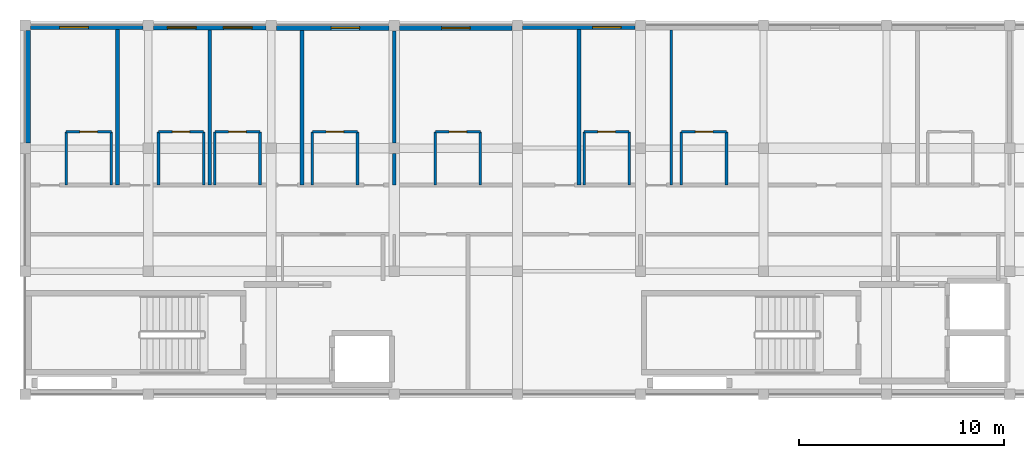
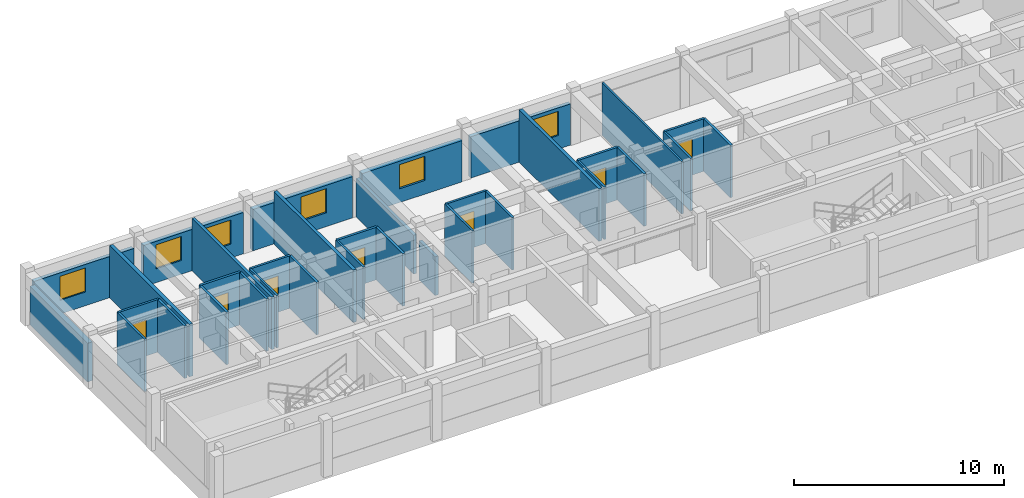
# One storey, part 7 of 14: 34 walls, 7 doors, 6 windows, 13 openings.
"""IFC4 building model written with IfcOpenShell, lengths in metres."""

from ifc_helpers import new_model, si_unit, direction, frame, frame_2d, origin, place, context, subcontext, project, spatial, rectangle, extrude, material, layer, layer_set, type_object, element, fill, save


model = new_model("IFC4")

# Units and contexts
model_context = context("Model", 3, precision=1e-05, world=origin(), true_north=direction((0.0, 1.0)))
body_context = subcontext(model_context, "Body", "Model", "MODEL_VIEW")
ifc_project = project(units=[si_unit("LENGTHUNIT", "METRE"), si_unit("AREAUNIT", "SQUARE_METRE"), si_unit("VOLUMEUNIT", "CUBIC_METRE"), si_unit("PLANEANGLEUNIT", "RADIAN"), si_unit("MASSUNIT", "GRAM", prefix="KILO"), si_unit("THERMODYNAMICTEMPERATUREUNIT", "KELVIN"), si_unit("POWERUNIT", "WATT")], contexts=[model_context])

# Site, building, storey
site_placement = place(None, origin())
site = spatial("IfcSite", under=ifc_project, at=site_placement, CompositionType="ELEMENT")
building_placement = place(site_placement, origin())
building = spatial("IfcBuilding", under=site, at=building_placement, Name="Phaisarnlok Congress Hotel", CompositionType="ELEMENT")
storey_placement = place(building_placement, frame((0.0, 0.0, 44.699951171875)))
storey = spatial("IfcBuildingStorey", under=building, at=storey_placement, Name="L11", CompositionType="ELEMENT", Elevation=44.699951171875)

# Wall, opening, window
ifc_material_1 = material(Name="Concrete C40/50", Category="concrete")
ifc_layer_1 = layer(ifc_material_1, 0.2099609375, Name="Concrete C40/50")
ifc_layer_set_1 = layer_set([ifc_layer_1], Name="Concrete C40/50")
wall_type_1 = type_object("IfcWallType", Name="WL-EXT-210", PredefinedType="SOLIDWALL", material=ifc_layer_set_1)
wall_1_placement = place(storey_placement, frame((131.7451171875, 125.89501953125, 0.0), z_axis=(0.0, 0.0, 1.0), x_axis=(-1.0, 0.0, 0.0)))
wall_1 = element("IfcWall", 1, at=wall_1_placement, inside=storey, type_object=wall_type_1, Name="Exterior wall EW-07 (L11)", PredefinedType="SOLIDWALL", context=body_context, shape_type="SweptSolid", body=[
    extrude(rectangle(XDim=5.490234375, YDim=0.2099609375, at=frame_2d((2.7451171875, 0.0))), origin(), (0.0, 0.0, 1.0), 2.400146484375),
])
opening_1_placement = place(wall_1_placement, frame((0.681884765625, 0.0, 0.800048828125)))
opening_1 = element("IfcOpeningElement", 2, at=opening_1_placement, cuts=wall_1, Name="Opening W-13", PredefinedType="OPENING", context=body_context, shape_type="SweptSolid", body=[
    extrude(rectangle(XDim=1.39990234375, YDim=1.39990234375, at=frame_2d((0.699951171875, 0.699951171875))), frame((0.0, 0.114990234375, 0.0), z_axis=(0.0, -1.0, 0.0), x_axis=(1.0, 0.0, 0.0)), (0.0, 0.0, 1.0), 0.22998046875),
])
ifc_material_2 = material(Name="Thermally Broken Aluminium & Low-E Double Glazing", Category="aluminium")
window_type = type_object("IfcWindowType", Name="WIN-POD-1400", PartitioningType="SINGLE_PANEL", PredefinedType="WINDOW", material=ifc_material_2)
window_1_placement = place(opening_1_placement, origin())
window_1 = element("IfcWindow", 3, at=window_1_placement, inside=storey, type_object=window_type, Name="Guestroom window W-13 (L11)", OverallHeight=1.39990234375, OverallWidth=1.39990234375, PartitioningType="SINGLE_PANEL", PredefinedType="WINDOW", context=body_context, shape_type="SweptSolid", body=[
    extrude(rectangle(XDim=1.39990234375, YDim=1.39990234375, at=frame_2d((0.699951171875, 0.699951171875))), frame((0.0, 0.030029296875, 0.0), z_axis=(0.0, -1.0, 0.0), x_axis=(1.0, 0.0, 0.0)), (0.0, 0.0, 1.0), 0.06005859375),
])
fill(opening_1, window_1)

wall_2_placement = place(storey_placement, frame((107.7451171875, 125.89501953125, 0.0), z_axis=(0.0, 0.0, 1.0), x_axis=(-1.0, 0.0, 0.0)))
wall_2 = element("IfcWall", 4, at=wall_2_placement, inside=storey, type_object=wall_type_1, Name="Exterior wall EW-07 (L11)", PredefinedType="SOLIDWALL", context=body_context, shape_type="SweptSolid", body=[
    extrude(rectangle(XDim=5.490234375, YDim=0.2099609375, at=frame_2d((2.7451171875, 0.0))), origin(), (0.0, 0.0, 1.0), 2.400146484375),
])
opening_2_placement = place(wall_2_placement, frame((2.657958984375, 0.0, 0.800048828125)))
opening_2 = element("IfcOpeningElement", 5, at=opening_2_placement, cuts=wall_2, Name="Opening W-13", PredefinedType="OPENING", context=body_context, shape_type="SweptSolid", body=[
    extrude(rectangle(XDim=1.39990234375, YDim=1.39990234375, at=frame_2d((0.699951171875, 0.699951171875))), frame((0.0, 0.114990234375, 0.0), z_axis=(0.0, -1.0, 0.0), x_axis=(1.0, 0.0, 0.0)), (0.0, 0.0, 1.0), 0.22998046875),
])
window_2_placement = place(opening_2_placement, origin())
window_2 = element("IfcWindow", 6, at=window_2_placement, inside=storey, type_object=window_type, Name="Guestroom window W-13 (L11)", OverallHeight=1.39990234375, OverallWidth=1.39990234375, PartitioningType="SINGLE_PANEL", PredefinedType="WINDOW", context=body_context, shape_type="SweptSolid", body=[
    extrude(rectangle(XDim=1.39990234375, YDim=1.39990234375, at=frame_2d((0.699951171875, 0.699951171875))), frame((0.0, 0.030029296875, 0.0), z_axis=(0.0, -1.0, 0.0), x_axis=(1.0, 0.0, 0.0)), (0.0, 0.0, 1.0), 0.06005859375),
])
fill(opening_2, window_2)

# Wall, openings, windows
ifc_layer_2 = layer(ifc_material_1, 0.22998046875, Name="Concrete C40/50")
ifc_layer_set_2 = layer_set([ifc_layer_2], Name="Concrete C40/50")
wall_type_2 = type_object("IfcWallType", Name="WL-EXT-230", PredefinedType="SOLIDWALL", material=ifc_layer_set_2)
wall_3_placement = place(storey_placement, frame((113.7451171875, 125.885009765625, 0.0), z_axis=(0.0, 0.0, 1.0), x_axis=(-1.0, 0.0, 0.0)))
wall_3 = element("IfcWall", 7, at=wall_3_placement, inside=storey, type_object=wall_type_2, Name="Exterior wall EW-06 (L11)", PredefinedType="SOLIDWALL", context=body_context, shape_type="SweptSolid", body=[
    extrude(rectangle(XDim=5.490234375, YDim=0.22998046875, at=frame_2d((2.7451171875, 0.0))), origin(), (0.0, 0.0, 1.0), 2.400146484375),
])
opening_3_placement = place(wall_3_placement, frame((3.407958984375, 0.0, 0.800048828125)))
opening_3 = element("IfcOpeningElement", 8, at=opening_3_placement, cuts=wall_3, Name="Opening W-13", PredefinedType="OPENING", context=body_context, shape_type="SweptSolid", body=[
    extrude(rectangle(XDim=1.39990234375, YDim=1.39990234375, at=frame_2d((0.699951171875, 0.699951171875))), frame((0.0, 0.125, 0.0), z_axis=(0.0, -1.0, 0.0), x_axis=(1.0, 0.0, 0.0)), (0.0, 0.0, 1.0), 0.25),
])
opening_4_placement = place(wall_3_placement, frame((0.681884765625, 0.0, 0.800048828125)))
opening_4 = element("IfcOpeningElement", 9, at=opening_4_placement, cuts=wall_3, Name="Opening W-13", PredefinedType="OPENING", context=body_context, shape_type="SweptSolid", body=[
    extrude(rectangle(XDim=1.39990234375, YDim=1.39990234375, at=frame_2d((0.699951171875, 0.699951171875))), frame((0.0, 0.125, 0.0), z_axis=(0.0, -1.0, 0.0), x_axis=(1.0, 0.0, 0.0)), (0.0, 0.0, 1.0), 0.25),
])
window_3_placement = place(opening_3_placement, origin())
window_3 = element("IfcWindow", 10, at=window_3_placement, inside=storey, type_object=window_type, Name="Guestroom window W-13 (L11)", OverallHeight=1.39990234375, OverallWidth=1.39990234375, PartitioningType="SINGLE_PANEL", PredefinedType="WINDOW", context=body_context, shape_type="SweptSolid", body=[
    extrude(rectangle(XDim=1.39990234375, YDim=1.39990234375, at=frame_2d((0.699951171875, 0.699951171875))), frame((0.0, 0.030029296875, 0.0), z_axis=(0.0, -1.0, 0.0), x_axis=(1.0, 0.0, 0.0)), (0.0, 0.0, 1.0), 0.06005859375),
])
fill(opening_3, window_3)
window_4_placement = place(opening_4_placement, origin())
window_4 = element("IfcWindow", 11, at=window_4_placement, inside=storey, type_object=window_type, Name="Guestroom window W-13 (L11)", OverallHeight=1.39990234375, OverallWidth=1.39990234375, PartitioningType="SINGLE_PANEL", PredefinedType="WINDOW", context=body_context, shape_type="SweptSolid", body=[
    extrude(rectangle(XDim=1.39990234375, YDim=1.39990234375, at=frame_2d((0.699951171875, 0.699951171875))), frame((0.0, 0.030029296875, 0.0), z_axis=(0.0, -1.0, 0.0), x_axis=(1.0, 0.0, 0.0)), (0.0, 0.0, 1.0), 0.06005859375),
])
fill(opening_4, window_4)

# Wall, opening, window
ifc_layer_3 = layer(ifc_material_1, 0.25, Name="Concrete C40/50")
ifc_layer_set_3 = layer_set([ifc_layer_3], Name="Concrete C40/50")
wall_type_3 = type_object("IfcWallType", Name="WL-EXT-250", PredefinedType="SOLIDWALL", material=ifc_layer_set_3)
wall_4_placement = place(storey_placement, frame((119.7451171875, 125.875, 0.0), z_axis=(0.0, 0.0, 1.0), x_axis=(-1.0, 0.0, 0.0)))
wall_4 = element("IfcWall", 12, at=wall_4_placement, inside=storey, type_object=wall_type_3, Name="Exterior wall EW-05 (L11)", PredefinedType="SOLIDWALL", context=body_context, shape_type="SweptSolid", body=[
    extrude(rectangle(XDim=5.490234375, YDim=0.25, at=frame_2d((2.7451171875, 0.0))), origin(), (0.0, 0.0, 1.0), 2.400146484375),
])
opening_5_placement = place(wall_4_placement, frame((1.431884765625, 0.0, 0.800048828125)))
opening_5 = element("IfcOpeningElement", 13, at=opening_5_placement, cuts=wall_4, Name="Opening W-13", PredefinedType="OPENING", context=body_context, shape_type="SweptSolid", body=[
    extrude(rectangle(XDim=1.39990234375, YDim=1.39990234375, at=frame_2d((0.699951171875, 0.699951171875))), frame((0.0, 0.135009765625, 0.0), z_axis=(0.0, -1.0, 0.0), x_axis=(1.0, 0.0, 0.0)), (0.0, 0.0, 1.0), 0.27001953125),
])
window_5_placement = place(opening_5_placement, origin())
window_5 = element("IfcWindow", 14, at=window_5_placement, inside=storey, type_object=window_type, Name="Guestroom window W-13 (L11)", OverallHeight=1.39990234375, OverallWidth=1.39990234375, PartitioningType="SINGLE_PANEL", PredefinedType="WINDOW", context=body_context, shape_type="SweptSolid", body=[
    extrude(rectangle(XDim=1.39990234375, YDim=1.39990234375, at=frame_2d((0.699951171875, 0.699951171875))), frame((0.0, 0.030029296875, 0.0), z_axis=(0.0, -1.0, 0.0), x_axis=(1.0, 0.0, 0.0)), (0.0, 0.0, 1.0), 0.06005859375),
])
fill(opening_5, window_5)

ifc_layer_4 = layer(ifc_material_1, 0.27001953125, Name="Concrete C40/50")
ifc_layer_set_4 = layer_set([ifc_layer_4], Name="Concrete C40/50")
wall_type_4 = type_object("IfcWallType", Name="WL-EXT-270", PredefinedType="SOLIDWALL", material=ifc_layer_set_4)
wall_5_placement = place(storey_placement, frame((125.7451171875, 125.864990234375, 0.0), z_axis=(0.0, 0.0, 1.0), x_axis=(-1.0, 0.0, 0.0)))
wall_5 = element("IfcWall", 15, at=wall_5_placement, inside=storey, type_object=wall_type_4, Name="Exterior wall EW-04 (L11)", PredefinedType="SOLIDWALL", context=body_context, shape_type="SweptSolid", body=[
    extrude(rectangle(XDim=5.490234375, YDim=0.27001953125, at=frame_2d((2.7451171875, 0.0))), origin(), (0.0, 0.0, 1.0), 2.400146484375),
])
opening_6_placement = place(wall_5_placement, frame((2.044921875, 0.0, 0.800048828125)))
opening_6 = element("IfcOpeningElement", 16, at=opening_6_placement, cuts=wall_5, Name="Opening W-13", PredefinedType="OPENING", context=body_context, shape_type="SweptSolid", body=[
    extrude(rectangle(XDim=1.39990234375, YDim=1.39990234375, at=frame_2d((0.699951171875, 0.699951171875))), frame((0.0, 0.14501953125, 0.0), z_axis=(0.0, -1.0, 0.0), x_axis=(1.0, 0.0, 0.0)), (0.0, 0.0, 1.0), 0.2900390625),
])
window_6_placement = place(opening_6_placement, origin())
window_6 = element("IfcWindow", 17, at=window_6_placement, inside=storey, type_object=window_type, Name="Guestroom window W-13 (L11)", OverallHeight=1.39990234375, OverallWidth=1.39990234375, PartitioningType="SINGLE_PANEL", PredefinedType="WINDOW", context=body_context, shape_type="SweptSolid", body=[
    extrude(rectangle(XDim=1.39990234375, YDim=1.39990234375, at=frame_2d((0.699951171875, 0.699951171875))), frame((0.0, 0.030029296875, 0.0), z_axis=(0.0, -1.0, 0.0), x_axis=(1.0, 0.0, 0.0)), (0.0, 0.0, 1.0), 0.06005859375),
])
fill(opening_6, window_6)

# Walls
wall_6_placement = place(storey_placement, frame((102.135009765625, 125.7451171875, 0.0), z_axis=(0.0, 0.0, 1.0), x_axis=(0.0, -1.0, 0.0)))
element("IfcWall", 18, at=wall_6_placement, inside=storey, type_object=wall_type_4, Name="Exterior wall EW-04 (L11)", PredefinedType="SOLIDWALL", context=body_context, shape_type="SweptSolid", body=[
    extrude(rectangle(XDim=5.490234375, YDim=0.27001953125, at=frame_2d((2.7451171875, 0.0))), origin(), (0.0, 0.0, 1.0), 2.25),
])
ifc_material_3 = material(Name="Service Riser Shaftwall Partition", Category="gypsum")
ifc_layer_5 = layer(ifc_material_3, 0.10498046875, Name="Service Riser Shaftwall Partition")
ifc_layer_set_5 = layer_set([ifc_layer_5], Name="Service Riser Shaftwall Partition")
wall_type_5 = type_object("IfcWallType", Name="WL-INT-105", PredefinedType="PARTITIONING", material=ifc_layer_set_5)
wall_7_placement = place(storey_placement, frame((133.5, 118.199951171875, 0.0), z_axis=(0.0, 0.0, 1.0), x_axis=(0.0, 1.0, 0.0)))
element("IfcWall", 19, at=wall_7_placement, inside=storey, type_object=wall_type_5, Name="Interior partition wall IW-08 (L11)", PredefinedType="PARTITIONING", context=body_context, shape_type="SweptSolid", body=[
    extrude(rectangle(XDim=7.56494140625, YDim=0.10498046875, at=frame_2d((3.782470703125, 0.0))), origin(), (0.0, 0.0, 1.0), 3.050048828125),
])
ifc_material_4 = material(Name="Lightweight Metal-Stud Gypsum Partition", Category="gypsum")
ifc_layer_6 = layer(ifc_material_4, 0.1201171875, Name="Lightweight Metal-Stud Gypsum Partition")
ifc_layer_set_6 = layer_set([ifc_layer_6], Name="Lightweight Metal-Stud Gypsum Partition")
wall_type_6 = type_object("IfcWallType", Name="WL-INT-120", PredefinedType="PARTITIONING", material=ifc_layer_set_6)
for number, where, z_axis, x_axis, name in (
    (20, (104.0, 118.199951171875, 0.0), (0.0, 0.0, 1.0), (0.0, 1.0, 0.0), "Interior partition wall IW-07 (L11)"),
    (21, (110.699951171875, 118.199951171875, 0.0), (0.0, 0.0, 1.0), (0.0, 1.0, 0.0), "Interior partition wall IW-07 (L11)"),
    (22, (111.25, 118.199951171875, 0.0), (0.0, 0.0, 1.0), (0.0, 1.0, 0.0), "Interior partition wall IW-07 (L11)"),
    (23, (116.0, 118.199951171875, 0.0), (0.0, 0.0, 1.0), (0.0, 1.0, 0.0), "Interior partition wall IW-07 (L11)"),
    (24, (122.0, 118.199951171875, 0.0), (0.0, 0.0, 1.0), (0.0, 1.0, 0.0), "Interior partition wall IW-07 (L11)"),
    (25, (124.199951171875, 118.199951171875, 0.0), (0.0, 0.0, 1.0), (0.0, 1.0, 0.0), "Interior partition wall IW-07 (L11)"),
    (26, (129.25, 118.199951171875, 0.0), (0.0, 0.0, 1.0), (0.0, 1.0, 0.0), "Interior partition wall IW-07 (L11)"),
    (27, (134.0, 118.199951171875, 0.0), (0.0, 0.0, 1.0), (0.0, 1.0, 0.0), "Interior partition wall IW-07 (L11)"),
):
    element("IfcWall", number, at=place(storey_placement, frame(where, z_axis=z_axis, x_axis=x_axis)), inside=storey, type_object=wall_type_6, Name=name, PredefinedType="PARTITIONING", context=body_context, shape_type="SweptSolid", body=[
        extrude(rectangle(XDim=2.60009765625, YDim=0.1201171875, at=frame_2d((1.300048828125, 0.0))), origin(), (0.0, 0.0, 1.0), 3.050048828125),
    ])

# Wall, opening, door
wall_8_placement = place(storey_placement, frame((104.0, 120.800048828125, 0.0), z_axis=(0.0, 0.0, 1.0), x_axis=(1.0, 0.0, 0.0)))
wall_8 = element("IfcWall", 28, at=wall_8_placement, inside=storey, type_object=wall_type_6, Name="Interior partition wall IW-07 (L11)", PredefinedType="PARTITIONING", context=body_context, shape_type="SweptSolid", body=[
    extrude(rectangle(XDim=2.199951171875, YDim=0.1201171875, at=frame_2d((1.10009765625, 0.0))), origin(), (0.0, 0.0, 1.0), 3.050048828125),
])
opening_7_placement = place(wall_8_placement, frame((0.675048828125, 0.0, 0.0)))
opening_7 = element("IfcOpeningElement", 29, at=opening_7_placement, cuts=wall_8, Name="Opening D-0628", PredefinedType="OPENING", context=body_context, shape_type="SweptSolid", body=[
    extrude(rectangle(XDim=0.85009765625, YDim=2.10009765625, at=frame_2d((0.425048828125, 1.050048828125))), frame((0.0, 0.070068359375, 0.0), z_axis=(0.0, -1.0, 0.0), x_axis=(1.0, 0.0, 0.0)), (0.0, 0.0, 1.0), 0.14013671875),
])
ifc_material_5 = material(Name="Moisture-Resistant Lacquered Timber", Category="wood")
door_type = type_object("IfcDoorType", Name="DR-BATH-850", OperationType="NOTDEFINED", PredefinedType="DOOR", material=ifc_material_5)
door_1_placement = place(opening_7_placement, origin())
door_1 = element("IfcDoor", 30, at=door_1_placement, inside=storey, type_object=door_type, Name="Interior door D-0628 (L11)", OperationType="SINGLE_SWING_RIGHT", OverallHeight=2.10009765625, OverallWidth=0.85009765625, PredefinedType="DOOR", context=body_context, shape_type="SweptSolid", body=[
    extrude(rectangle(XDim=0.85009765625, YDim=2.10009765625, at=frame_2d((0.425048828125, 1.050048828125))), frame((0.0, 0.02490234375, 0.0), z_axis=(0.0, -1.0, 0.0), x_axis=(1.0, 0.0, 0.0)), (0.0, 0.0, 1.0), 0.050048828125),
])
fill(opening_7, door_1)

wall_9_placement = place(storey_placement, frame((111.25, 120.800048828125, 0.0), z_axis=(0.0, 0.0, 1.0), x_axis=(1.0, 0.0, 0.0)))
wall_9 = element("IfcWall", 31, at=wall_9_placement, inside=storey, type_object=wall_type_6, Name="Interior partition wall IW-07 (L11)", PredefinedType="PARTITIONING", context=body_context, shape_type="SweptSolid", body=[
    extrude(rectangle(XDim=2.199951171875, YDim=0.1201171875, at=frame_2d((1.10009765625, 0.0))), origin(), (0.0, 0.0, 1.0), 3.050048828125),
])
opening_8_placement = place(wall_9_placement, frame((0.675048828125, 0.0, 0.0)))
opening_8 = element("IfcOpeningElement", 32, at=opening_8_placement, cuts=wall_9, Name="Opening D-0632", PredefinedType="OPENING", context=body_context, shape_type="SweptSolid", body=[
    extrude(rectangle(XDim=0.85009765625, YDim=2.10009765625, at=frame_2d((0.425048828125, 1.050048828125))), frame((0.0, 0.070068359375, 0.0), z_axis=(0.0, -1.0, 0.0), x_axis=(1.0, 0.0, 0.0)), (0.0, 0.0, 1.0), 0.14013671875),
])
door_2_placement = place(opening_8_placement, origin())
door_2 = element("IfcDoor", 33, at=door_2_placement, inside=storey, type_object=door_type, Name="Interior door D-0632 (L11)", OperationType="SINGLE_SWING_RIGHT", OverallHeight=2.10009765625, OverallWidth=0.85009765625, PredefinedType="DOOR", context=body_context, shape_type="SweptSolid", body=[
    extrude(rectangle(XDim=0.85009765625, YDim=2.10009765625, at=frame_2d((0.425048828125, 1.050048828125))), frame((0.0, 0.02490234375, 0.0), z_axis=(0.0, -1.0, 0.0), x_axis=(1.0, 0.0, 0.0)), (0.0, 0.0, 1.0), 0.050048828125),
])
fill(opening_8, door_2)

wall_10_placement = place(storey_placement, frame((122.0, 120.800048828125, 0.0), z_axis=(0.0, 0.0, 1.0), x_axis=(1.0, 0.0, 0.0)))
wall_10 = element("IfcWall", 34, at=wall_10_placement, inside=storey, type_object=wall_type_6, Name="Interior partition wall IW-07 (L11)", PredefinedType="PARTITIONING", context=body_context, shape_type="SweptSolid", body=[
    extrude(rectangle(XDim=2.199951171875, YDim=0.1201171875, at=frame_2d((1.10009765625, 0.0))), origin(), (0.0, 0.0, 1.0), 3.050048828125),
])
opening_9_placement = place(wall_10_placement, frame((0.675048828125, 0.0, 0.0)))
opening_9 = element("IfcOpeningElement", 35, at=opening_9_placement, cuts=wall_10, Name="Opening D-0636", PredefinedType="OPENING", context=body_context, shape_type="SweptSolid", body=[
    extrude(rectangle(XDim=0.85009765625, YDim=2.10009765625, at=frame_2d((0.425048828125, 1.050048828125))), frame((0.0, 0.070068359375, 0.0), z_axis=(0.0, -1.0, 0.0), x_axis=(1.0, 0.0, 0.0)), (0.0, 0.0, 1.0), 0.14013671875),
])
door_3_placement = place(opening_9_placement, origin())
door_3 = element("IfcDoor", 36, at=door_3_placement, inside=storey, type_object=door_type, Name="Interior door D-0636 (L11)", OperationType="SINGLE_SWING_RIGHT", OverallHeight=2.10009765625, OverallWidth=0.85009765625, PredefinedType="DOOR", context=body_context, shape_type="SweptSolid", body=[
    extrude(rectangle(XDim=0.85009765625, YDim=2.10009765625, at=frame_2d((0.425048828125, 1.050048828125))), frame((0.0, 0.02490234375, 0.0), z_axis=(0.0, -1.0, 0.0), x_axis=(1.0, 0.0, 0.0)), (0.0, 0.0, 1.0), 0.050048828125),
])
fill(opening_9, door_3)

wall_11_placement = place(storey_placement, frame((134.0, 120.800048828125, 0.0), z_axis=(0.0, 0.0, 1.0), x_axis=(1.0, 0.0, 0.0)))
wall_11 = element("IfcWall", 37, at=wall_11_placement, inside=storey, type_object=wall_type_6, Name="Interior partition wall IW-07 (L11)", PredefinedType="PARTITIONING", context=body_context, shape_type="SweptSolid", body=[
    extrude(rectangle(XDim=2.199951171875, YDim=0.1201171875, at=frame_2d((1.10009765625, 0.0))), origin(), (0.0, 0.0, 1.0), 3.050048828125),
])
opening_10_placement = place(wall_11_placement, frame((0.675048828125, 0.0, 0.0)))
opening_10 = element("IfcOpeningElement", 38, at=opening_10_placement, cuts=wall_11, Name="Opening D-0640", PredefinedType="OPENING", context=body_context, shape_type="SweptSolid", body=[
    extrude(rectangle(XDim=0.85009765625, YDim=2.10009765625, at=frame_2d((0.425048828125, 1.050048828125))), frame((0.0, 0.070068359375, 0.0), z_axis=(0.0, -1.0, 0.0), x_axis=(1.0, 0.0, 0.0)), (0.0, 0.0, 1.0), 0.14013671875),
])
door_4_placement = place(opening_10_placement, origin())
door_4 = element("IfcDoor", 39, at=door_4_placement, inside=storey, type_object=door_type, Name="Interior door D-0640 (L11)", OperationType="SINGLE_SWING_RIGHT", OverallHeight=2.10009765625, OverallWidth=0.85009765625, PredefinedType="DOOR", context=body_context, shape_type="SweptSolid", body=[
    extrude(rectangle(XDim=0.85009765625, YDim=2.10009765625, at=frame_2d((0.425048828125, 1.050048828125))), frame((0.0, 0.02490234375, 0.0), z_axis=(0.0, -1.0, 0.0), x_axis=(1.0, 0.0, 0.0)), (0.0, 0.0, 1.0), 0.050048828125),
])
fill(opening_10, door_4)

# Walls
ifc_material_6 = material(Name="Moisture-Resistant Gypsum Partition", Category="gypsum")
ifc_layer_7 = layer(ifc_material_6, 0.135009765625, Name="Moisture-Resistant Gypsum Partition")
ifc_layer_set_7 = layer_set([ifc_layer_7], Name="Moisture-Resistant Gypsum Partition")
wall_type_7 = type_object("IfcWallType", Name="WL-INT-135", PredefinedType="PARTITIONING", material=ifc_layer_set_7)
for number, where, z_axis, x_axis, name in (
    (40, (106.199951171875, 118.199951171875, 0.0), (0.0, 0.0, 1.0), (0.0, 1.0, 0.0), "Interior partition wall IW-06 (L11)"),
    (41, (108.5, 118.199951171875, 0.0), (0.0, 0.0, 1.0), (0.0, 1.0, 0.0), "Interior partition wall IW-06 (L11)"),
    (42, (113.449951171875, 118.199951171875, 0.0), (0.0, 0.0, 1.0), (0.0, 1.0, 0.0), "Interior partition wall IW-06 (L11)"),
    (43, (118.199951171875, 118.199951171875, 0.0), (0.0, 0.0, 1.0), (0.0, 1.0, 0.0), "Interior partition wall IW-06 (L11)"),
    (44, (131.449951171875, 118.199951171875, 0.0), (0.0, 0.0, 1.0), (0.0, 1.0, 0.0), "Interior partition wall IW-06 (L11)"),
    (45, (136.199951171875, 118.199951171875, 0.0), (0.0, 0.0, 1.0), (0.0, 1.0, 0.0), "Interior partition wall IW-06 (L11)"),
):
    element("IfcWall", number, at=place(storey_placement, frame(where, z_axis=z_axis, x_axis=x_axis)), inside=storey, type_object=wall_type_7, Name=name, PredefinedType="PARTITIONING", context=body_context, shape_type="SweptSolid", body=[
        extrude(rectangle(XDim=2.60009765625, YDim=0.135009765625, at=frame_2d((1.300048828125, 0.0))), origin(), (0.0, 0.0, 1.0), 3.050048828125),
    ])

# Wall, opening, door
wall_12_placement = place(storey_placement, frame((108.5, 120.800048828125, 0.0), z_axis=(0.0, 0.0, 1.0), x_axis=(1.0, 0.0, 0.0)))
wall_12 = element("IfcWall", 46, at=wall_12_placement, inside=storey, type_object=wall_type_7, Name="Interior partition wall IW-06 (L11)", PredefinedType="PARTITIONING", context=body_context, shape_type="SweptSolid", body=[
    extrude(rectangle(XDim=2.199951171875, YDim=0.135009765625, at=frame_2d((1.10009765625, 0.0))), origin(), (0.0, 0.0, 1.0), 3.050048828125),
])
opening_11_placement = place(wall_12_placement, frame((0.675048828125, 0.0, 0.0)))
opening_11 = element("IfcOpeningElement", 47, at=opening_11_placement, cuts=wall_12, Name="Opening D-0630", PredefinedType="OPENING", context=body_context, shape_type="SweptSolid", body=[
    extrude(rectangle(XDim=0.85009765625, YDim=2.10009765625, at=frame_2d((0.425048828125, 1.050048828125))), frame((0.0, 0.07763671875, 0.0), z_axis=(0.0, -1.0, 0.0), x_axis=(1.0, 0.0, 0.0)), (0.0, 0.0, 1.0), 0.155029296875),
])
door_5_placement = place(opening_11_placement, origin())
door_5 = element("IfcDoor", 48, at=door_5_placement, inside=storey, type_object=door_type, Name="Interior door D-0630 (L11)", OperationType="SINGLE_SWING_RIGHT", OverallHeight=2.10009765625, OverallWidth=0.85009765625, PredefinedType="DOOR", context=body_context, shape_type="SweptSolid", body=[
    extrude(rectangle(XDim=0.85009765625, YDim=2.10009765625, at=frame_2d((0.425048828125, 1.050048828125))), frame((0.0, 0.02490234375, 0.0), z_axis=(0.0, -1.0, 0.0), x_axis=(1.0, 0.0, 0.0)), (0.0, 0.0, 1.0), 0.050048828125),
])
fill(opening_11, door_5)

wall_13_placement = place(storey_placement, frame((116.0, 120.800048828125, 0.0), z_axis=(0.0, 0.0, 1.0), x_axis=(1.0, 0.0, 0.0)))
wall_13 = element("IfcWall", 49, at=wall_13_placement, inside=storey, type_object=wall_type_7, Name="Interior partition wall IW-06 (L11)", PredefinedType="PARTITIONING", context=body_context, shape_type="SweptSolid", body=[
    extrude(rectangle(XDim=2.199951171875, YDim=0.135009765625, at=frame_2d((1.10009765625, 0.0))), origin(), (0.0, 0.0, 1.0), 3.050048828125),
])
opening_12_placement = place(wall_13_placement, frame((0.675048828125, 0.0, 0.0)))
opening_12 = element("IfcOpeningElement", 50, at=opening_12_placement, cuts=wall_13, Name="Opening D-0634", PredefinedType="OPENING", context=body_context, shape_type="SweptSolid", body=[
    extrude(rectangle(XDim=0.85009765625, YDim=2.10009765625, at=frame_2d((0.425048828125, 1.050048828125))), frame((0.0, 0.07763671875, 0.0), z_axis=(0.0, -1.0, 0.0), x_axis=(1.0, 0.0, 0.0)), (0.0, 0.0, 1.0), 0.155029296875),
])
door_6_placement = place(opening_12_placement, origin())
door_6 = element("IfcDoor", 51, at=door_6_placement, inside=storey, type_object=door_type, Name="Interior door D-0634 (L11)", OperationType="SINGLE_SWING_RIGHT", OverallHeight=2.10009765625, OverallWidth=0.85009765625, PredefinedType="DOOR", context=body_context, shape_type="SweptSolid", body=[
    extrude(rectangle(XDim=0.85009765625, YDim=2.10009765625, at=frame_2d((0.425048828125, 1.050048828125))), frame((0.0, 0.02490234375, 0.0), z_axis=(0.0, -1.0, 0.0), x_axis=(1.0, 0.0, 0.0)), (0.0, 0.0, 1.0), 0.050048828125),
])
fill(opening_12, door_6)

wall_14_placement = place(storey_placement, frame((129.25, 120.800048828125, 0.0), z_axis=(0.0, 0.0, 1.0), x_axis=(1.0, 0.0, 0.0)))
wall_14 = element("IfcWall", 52, at=wall_14_placement, inside=storey, type_object=wall_type_7, Name="Interior partition wall IW-06 (L11)", PredefinedType="PARTITIONING", context=body_context, shape_type="SweptSolid", body=[
    extrude(rectangle(XDim=2.199951171875, YDim=0.135009765625, at=frame_2d((1.10009765625, 0.0))), origin(), (0.0, 0.0, 1.0), 3.050048828125),
])
opening_13_placement = place(wall_14_placement, frame((0.675048828125, 0.0, 0.0)))
opening_13 = element("IfcOpeningElement", 53, at=opening_13_placement, cuts=wall_14, Name="Opening D-0638", PredefinedType="OPENING", context=body_context, shape_type="SweptSolid", body=[
    extrude(rectangle(XDim=0.85009765625, YDim=2.10009765625, at=frame_2d((0.425048828125, 1.050048828125))), frame((0.0, 0.07763671875, 0.0), z_axis=(0.0, -1.0, 0.0), x_axis=(1.0, 0.0, 0.0)), (0.0, 0.0, 1.0), 0.155029296875),
])
door_7_placement = place(opening_13_placement, origin())
door_7 = element("IfcDoor", 54, at=door_7_placement, inside=storey, type_object=door_type, Name="Interior door D-0638 (L11)", OperationType="SINGLE_SWING_RIGHT", OverallHeight=2.10009765625, OverallWidth=0.85009765625, PredefinedType="DOOR", context=body_context, shape_type="SweptSolid", body=[
    extrude(rectangle(XDim=0.85009765625, YDim=2.10009765625, at=frame_2d((0.425048828125, 1.050048828125))), frame((0.0, 0.02490234375, 0.0), z_axis=(0.0, -1.0, 0.0), x_axis=(1.0, 0.0, 0.0)), (0.0, 0.0, 1.0), 0.050048828125),
])
fill(opening_13, door_7)

# Walls
ifc_material_7 = material(Name="Double-Stud Acoustic Gypsum Partition", Category="gypsum")
ifc_layer_8 = layer(ifc_material_7, 0.159912109375, Name="Double-Stud Acoustic Gypsum Partition")
ifc_layer_set_8 = layer_set([ifc_layer_8], Name="Double-Stud Acoustic Gypsum Partition")
wall_type_8 = type_object("IfcWallType", Name="WL-INT-160", PredefinedType="PARTITIONING", material=ifc_layer_set_8)
wall_15_placement = place(storey_placement, frame((111.0, 118.199951171875, 0.0), z_axis=(0.0, 0.0, 1.0), x_axis=(0.0, 1.0, 0.0)))
element("IfcWall", 55, at=wall_15_placement, inside=storey, type_object=wall_type_8, Name="Interior partition wall IW-04 (L11)", PredefinedType="PARTITIONING", context=body_context, shape_type="SweptSolid", body=[
    extrude(rectangle(XDim=7.56494140625, YDim=0.159912109375, at=frame_2d((3.782470703125, 0.0))), origin(), (0.0, 0.0, 1.0), 3.050048828125),
])
wall_16_placement = place(storey_placement, frame((120.0, 120.2548828125, 0.0), z_axis=(0.0, 0.0, 1.0), x_axis=(0.0, 1.0, 0.0)))
element("IfcWall", 56, at=wall_16_placement, inside=storey, type_object=wall_type_8, Name="Interior partition wall IW-04 (L11)", PredefinedType="PARTITIONING", context=body_context, shape_type="SweptSolid", body=[
    extrude(rectangle(XDim=5.465087890625, YDim=0.159912109375, at=frame_2d((2.732421875, 0.0))), origin(), (0.0, 0.0, 1.0), 2.25),
])
ifc_material_8 = material(Name="Autoclaved Aerated Concrete Block", Category="concrete")
ifc_layer_9 = layer(ifc_material_8, 0.179931640625, Name="Autoclaved Aerated Concrete Block")
ifc_layer_set_9 = layer_set([ifc_layer_9], Name="Autoclaved Aerated Concrete Block")
wall_type_9 = type_object("IfcWallType", Name="WL-INT-180", PredefinedType="PARTITIONING", material=ifc_layer_set_9)
wall_17_placement = place(storey_placement, frame((115.5, 118.199951171875, 0.0), z_axis=(0.0, 0.0, 1.0), x_axis=(0.0, 1.0, 0.0)))
element("IfcWall", 57, at=wall_17_placement, inside=storey, type_object=wall_type_9, Name="Interior partition wall IW-03 (L11)", PredefinedType="PARTITIONING", context=body_context, shape_type="SweptSolid", body=[
    extrude(rectangle(XDim=7.545166015625, YDim=0.179931640625, at=frame_2d((3.7724609375, 0.0))), origin(), (0.0, 0.0, 1.0), 3.050048828125),
])
wall_18_placement = place(storey_placement, frame((120.0, 118.199951171875, 0.0), z_axis=(0.0, 0.0, 1.0), x_axis=(0.0, 1.0, 0.0)))
element("IfcWall", 58, at=wall_18_placement, inside=storey, type_object=wall_type_9, Name="Interior partition wall IW-03 (L11)", PredefinedType="PARTITIONING", context=body_context, shape_type="SweptSolid", body=[
    extrude(rectangle(XDim=1.545166015625, YDim=0.179931640625, at=frame_2d((0.7724609375, 0.0))), origin(), (0.0, 0.0, 1.0), 2.25),
])
wall_19_placement = place(storey_placement, frame((129.0, 118.199951171875, 0.0), z_axis=(0.0, 0.0, 1.0), x_axis=(0.0, 1.0, 0.0)))
element("IfcWall", 59, at=wall_19_placement, inside=storey, type_object=wall_type_9, Name="Interior partition wall IW-03 (L11)", PredefinedType="PARTITIONING", context=body_context, shape_type="SweptSolid", body=[
    extrude(rectangle(XDim=7.5849609375, YDim=0.179931640625, at=frame_2d((3.79248046875, 0.0))), origin(), (0.0, 0.0, 1.0), 3.050048828125),
])
ifc_layer_10 = layer(ifc_material_8, 0.199951171875, Name="Autoclaved Aerated Concrete Block")
ifc_layer_set_10 = layer_set([ifc_layer_10], Name="Autoclaved Aerated Concrete Block")
wall_type_10 = type_object("IfcWallType", Name="WL-INT-200", PredefinedType="PARTITIONING", material=ifc_layer_set_10)
wall_20_placement = place(storey_placement, frame((106.5, 118.199951171875, 0.0), z_axis=(0.0, 0.0, 1.0), x_axis=(0.0, 1.0, 0.0)))
element("IfcWall", 60, at=wall_20_placement, inside=storey, type_object=wall_type_10, Name="Interior partition wall IW-02 (L11)", PredefinedType="PARTITIONING", context=body_context, shape_type="SweptSolid", body=[
    extrude(rectangle(XDim=7.5849609375, YDim=0.199951171875, at=frame_2d((3.79248046875, 0.0))), origin(), (0.0, 0.0, 1.0), 3.050048828125),
])

save(model, "model.ifc")
